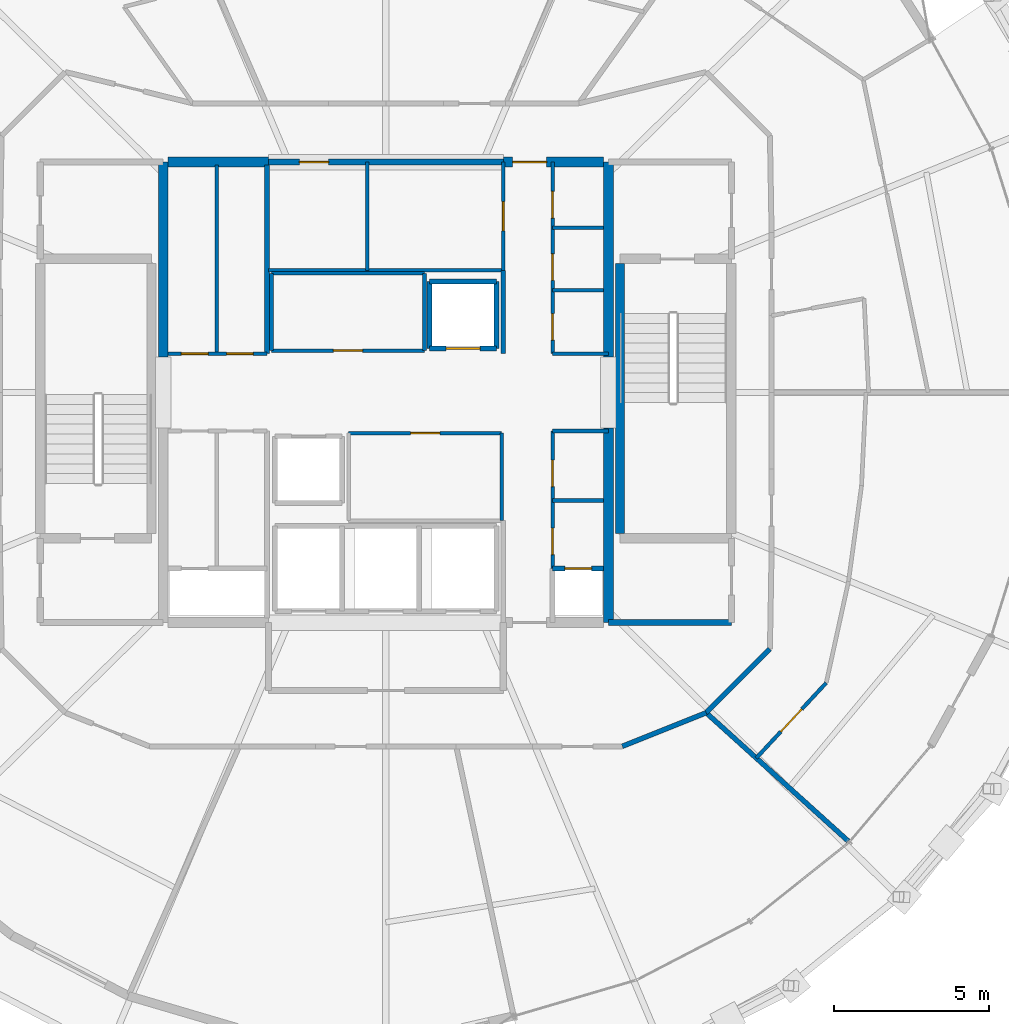
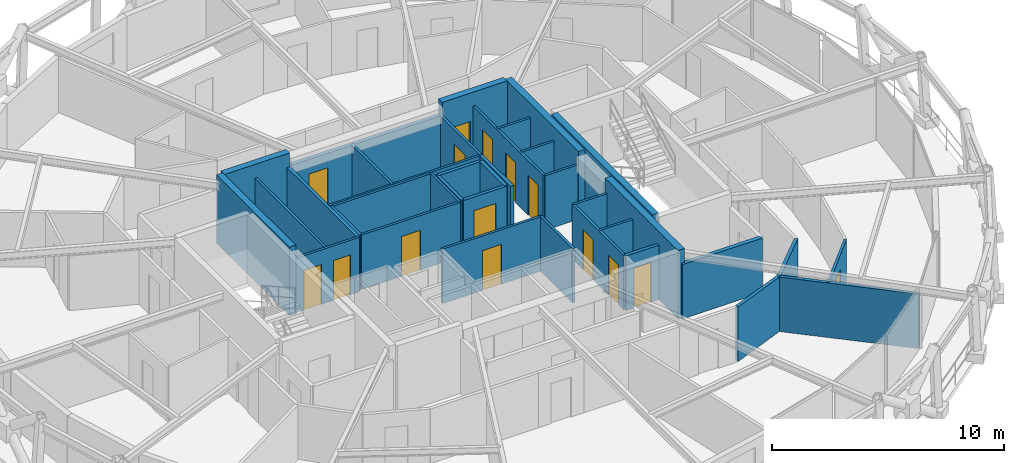
# One storey, part 13 of 16: 37 walls, 15 doors, 15 openings.
"""IFC4 building model written with IfcOpenShell, lengths in metres."""

from ifc_helpers import new_model, si_unit, direction, frame, frame_2d, origin, place, context, subcontext, project, spatial, rectangle, extrude, material, layer, layer_set, type_object, element, fill, save


model = new_model("IFC4")

# Units and contexts
model_context = context("Model", 3, precision=1e-05, world=origin(), true_north=direction((0.0, 1.0)))
body_context = subcontext(model_context, "Body", "Model", "MODEL_VIEW")
ifc_project = project(units=[si_unit("LENGTHUNIT", "METRE"), si_unit("AREAUNIT", "SQUARE_METRE"), si_unit("VOLUMEUNIT", "CUBIC_METRE"), si_unit("PLANEANGLEUNIT", "RADIAN"), si_unit("MASSUNIT", "GRAM", prefix="KILO")], contexts=[model_context])

# Site, building, storey
site_placement = place(None, origin())
site = spatial("IfcSite", under=ifc_project, at=site_placement, CompositionType="ELEMENT")
building_placement = place(site_placement, origin())
building = spatial("IfcBuilding", under=site, at=building_placement, Name="Veldorina Hangang Commons", CompositionType="ELEMENT")
storey_placement = place(building_placement, frame((0.0, 0.0, 240.0)))
storey = spatial("IfcBuildingStorey", under=building, at=storey_placement, Name="L62", CompositionType="ELEMENT", Elevation=240.0)

# Walls
ifc_material_1 = material(Name="Concrete C50/60", Category="concrete")
ifc_layer_1 = layer(ifc_material_1, 0.320068359375)
ifc_layer_set_1 = layer_set([ifc_layer_1], Name="Concrete C50/60")
wall_type_1 = type_object("IfcWallType", Name="CW-RC320-C50", PredefinedType="SHEAR", material=ifc_layer_set_1)
for number, where, z_axis, x_axis, name in (
    (1, (24.800048828125, 25.14990234375, 0.0), (0.0, 0.0, 1.0), (0.0, 1.0, 0.0), "L62 W north core shear wall"),
    (2, (39.199951171875, 16.550048828125, 0.0), (0.0, 0.0, 1.0), (0.0, 1.0, 0.0), "L62 E south core shear wall"),
    (3, (39.199951171875, 25.14990234375, 0.0), (0.0, 0.0, 1.0), (0.0, 1.0, 0.0), "L62 E north core shear wall"),
):
    element("IfcWall", number, at=place(storey_placement, frame(where, z_axis=z_axis, x_axis=x_axis)), inside=storey, type_object=wall_type_1, Name=name, PredefinedType="SHEAR", context=body_context, shape_type="SweptSolid", body=[
        extrude(rectangle(XDim=6.300048828125, YDim=0.320068359375, at=frame_2d((3.14990234375, 0.0))), origin(), (0.0, 0.0, 1.0), 3.60009765625),
    ])
wall_1_placement = place(storey_placement, frame((24.9599609375, 31.449951171875, 0.0), z_axis=(0.0, 0.0, 1.0), x_axis=(1.0, 0.0, 0.0)))
element("IfcWall", 4, at=wall_1_placement, inside=storey, type_object=wall_type_1, Name="L62 north-west core shear wall", PredefinedType="SHEAR", context=body_context, shape_type="SweptSolid", body=[
    extrude(rectangle(XDim=3.239990234375, YDim=0.320068359375, at=frame_2d((1.6201171875, 0.0))), origin(), (0.0, 0.0, 1.0), 3.60009765625),
])

# Wall, opening, door
wall_2_placement = place(storey_placement, frame((35.800048828125, 31.449951171875, 0.0), z_axis=(0.0, 0.0, 1.0), x_axis=(1.0, 0.0, 0.0)))
wall_2 = element("IfcWall", 5, at=wall_2_placement, inside=storey, type_object=wall_type_1, Name="L62 north-east core shear wall", PredefinedType="SHEAR", context=body_context, shape_type="SweptSolid", body=[
    extrude(rectangle(XDim=3.239990234375, YDim=0.320068359375, at=frame_2d((1.6201171875, 0.0))), origin(), (0.0, 0.0, 1.0), 3.60009765625),
])
opening_1_placement = place(wall_2_placement, frame((0.300048828125, 0.0, 0.0)))
opening_1 = element("IfcOpeningElement", 6, at=opening_1_placement, cuts=wall_2, Name="Opening D-08", PredefinedType="OPENING", context=body_context, shape_type="SweptSolid", body=[
    extrude(rectangle(XDim=1.10009765625, YDim=2.10009765625, at=frame_2d((0.550048828125, 1.050048828125))), frame((0.0, 0.169921875, 0.0), z_axis=(0.0, -1.0, 0.0), x_axis=(1.0, 0.0, 0.0)), (0.0, 0.0, 1.0), 0.340087890625),
])
ifc_material_2 = material(Name="Steel Fire-Rated Smoke Seal", Category="steel")
door_type_1 = type_object("IfcDoorType", Name="DR-FIRE-1100", OperationType="SINGLE_SWING_RIGHT", PredefinedType="DOOR", material=ifc_material_2)
door_1_placement = place(opening_1_placement, origin())
door_1 = element("IfcDoor", 7, at=door_1_placement, inside=storey, type_object=door_type_1, Name="L62 central lift lobby north corridor door", OperationType="SINGLE_SWING_LEFT", OverallHeight=2.10009765625, OverallWidth=1.10009765625, PredefinedType="DOOR", context=body_context, shape_type="SweptSolid", body=[
    extrude(rectangle(XDim=1.10009765625, YDim=2.10009765625, at=frame_2d((0.550048828125, 1.050048828125))), frame((0.0, 0.02490234375, 0.0), z_axis=(0.0, -1.0, 0.0), x_axis=(1.0, 0.0, 0.0)), (0.0, 0.0, 1.0), 0.050048828125),
])
fill(opening_1, door_1)

# Walls
ifc_layer_2 = layer(ifc_material_1, 0.300048828125)
ifc_layer_set_2 = layer_set([ifc_layer_2], Name="Concrete C50/60")
wall_type_2 = type_object("IfcWallType", Name="SW-STAIR-300", PredefinedType="SHEAR", material=ifc_layer_set_2)
wall_3_placement = place(storey_placement, frame((39.580078125, 19.429931640625, 0.0), z_axis=(0.0, 0.0, 1.0), x_axis=(0.0, 1.0, 0.0)))
element("IfcWall", 8, at=wall_3_placement, inside=storey, type_object=wall_type_2, Name="L62 ST2 inner stair shear wall", PredefinedType="SHEAR", context=body_context, shape_type="SweptSolid", body=[
    extrude(rectangle(XDim=8.739990234375, YDim=0.300048828125, at=frame_2d((4.3701171875, 0.0))), origin(), (0.0, 0.0, 1.0), 3.60009765625),
])
ifc_material_3 = material(Name="Gypsum Fire-Rated Twin Stud Wall", Category="gypsum")
ifc_layer_3 = layer(ifc_material_3, 0.159912109375)
ifc_layer_set_3 = layer_set([ifc_layer_3], Name="Gypsum Fire-Rated Twin Stud Wall")
wall_type_3 = type_object("IfcWallType", Name="WL-FIRE-160", PredefinedType="SOLIDWALL", material=ifc_layer_set_3)
wall_4_placement = place(storey_placement, frame((35.800048828125, 25.25, 0.0), z_axis=(0.0, 0.0, 1.0), x_axis=(0.0, 1.0, 0.0)))
element("IfcWall", 9, at=wall_4_placement, inside=storey, type_object=wall_type_3, Name="L62 Lift passage NW lower wall 011", PredefinedType="SOLIDWALL", context=body_context, shape_type="SweptSolid", body=[
    extrude(rectangle(XDim=2.699951171875, YDim=0.159912109375, at=frame_2d((1.35009765625, 0.0))), origin(), (0.0, 0.0, 1.0), 2.8701171875),
])

# Wall, opening, door
wall_5_placement = place(storey_placement, frame((33.419921875, 25.419921875, 0.0), z_axis=(0.0, 0.0, 1.0), x_axis=(1.0, 0.0, 0.0)))
wall_5 = element("IfcWall", 10, at=wall_5_placement, inside=storey, type_object=wall_type_3, Name="L62 Mid-high front shaft wall 015", PredefinedType="SOLIDWALL", context=body_context, shape_type="SweptSolid", body=[
    extrude(rectangle(XDim=2.16015625, YDim=0.159912109375, at=frame_2d((1.080078125, 0.0))), origin(), (0.0, 0.0, 1.0), 2.8701171875),
])
opening_2_placement = place(wall_5_placement, frame((0.530029296875, 0.0, 0.0)))
opening_2 = element("IfcOpeningElement", 11, at=opening_2_placement, cuts=wall_5, Name="Opening LD-01", PredefinedType="OPENING", context=body_context, shape_type="SweptSolid", body=[
    extrude(rectangle(XDim=1.10009765625, YDim=2.14990234375, at=frame_2d((0.550048828125, 1.074951171875))), frame((0.0, 0.08984375, 0.0), z_axis=(0.0, -1.0, 0.0), x_axis=(1.0, 0.0, 0.0)), (0.0, 0.0, 1.0), 0.179931640625),
])
ifc_material_4 = material(Name="Stainless Steel Brushed Lift Door", Category="steel")
door_type_2 = type_object("IfcDoorType", Name="DR-LIFT-1100", OperationType="SLIDING_TO_LEFT", PredefinedType="DOOR", material=ifc_material_4)
door_2_placement = place(opening_2_placement, origin())
door_2 = element("IfcDoor", 12, at=door_2_placement, inside=storey, type_object=door_type_2, Name="L62 Lift PL-H1 landing door 006", OperationType="SLIDING_TO_RIGHT", OverallHeight=2.14990234375, OverallWidth=1.10009765625, PredefinedType="DOOR", context=body_context, shape_type="SweptSolid", body=[
    extrude(rectangle(XDim=1.10009765625, YDim=2.14990234375, at=frame_2d((0.550048828125, 1.074951171875))), frame((0.0, 0.02490234375, 0.0), z_axis=(0.0, -1.0, 0.0), x_axis=(1.0, 0.0, 0.0)), (0.0, 0.0, 1.0), 0.050048828125),
])
fill(opening_2, door_2)

# Walls
for number, where, z_axis, x_axis, name in (
    (13, (33.419921875, 27.580078125, 0.0), (0.0, 0.0, 1.0), (1.0, 0.0, 0.0), "L62 Mid-high rear shaft wall 016"),
    (14, (33.419921875, 25.419921875, 0.0), (0.0, 0.0, 1.0), (0.0, 1.0, 0.0), "L62 PL-H1 west shaft wall 017"),
    (15, (35.580078125, 25.419921875, 0.0), (0.0, 0.0, 1.0), (0.0, 1.0, 0.0), "L62 PL-H1 east shaft wall 018"),
):
    element("IfcWall", number, at=place(storey_placement, frame(where, z_axis=z_axis, x_axis=x_axis)), inside=storey, type_object=wall_type_3, Name=name, PredefinedType="SOLIDWALL", context=body_context, shape_type="SweptSolid", body=[
        extrude(rectangle(XDim=2.16015625, YDim=0.159912109375, at=frame_2d((1.080078125, 0.0))), origin(), (0.0, 0.0, 1.0), 2.8701171875),
    ])

# Wall, opening, door
wall_6_placement = place(storey_placement, frame((37.39990234375, 18.300048828125, 0.0), z_axis=(0.0, 0.0, 1.0), x_axis=(1.0, 0.0, 0.0)))
wall_6 = element("IfcWall", 16, at=wall_6_placement, inside=storey, type_object=wall_type_3, Name="L62 Plumbing riser wall 043", PredefinedType="SOLIDWALL", context=body_context, shape_type="SweptSolid", body=[
    extrude(rectangle(XDim=1.650146484375, YDim=0.159912109375, at=frame_2d((0.8251953125, 0.0))), origin(), (0.0, 0.0, 1.0), 2.8701171875),
])
opening_3_placement = place(wall_6_placement, frame((0.39501953125, 0.0, 0.0)))
opening_3 = element("IfcOpeningElement", 17, at=opening_3_placement, cuts=wall_6, Name="Opening D-01N", PredefinedType="OPENING", context=body_context, shape_type="SweptSolid", body=[
    extrude(rectangle(XDim=0.860107421875, YDim=2.10009765625, at=frame_2d((0.43017578125, 1.050048828125))), frame((0.0, 0.08984375, 0.0), z_axis=(0.0, -1.0, 0.0), x_axis=(1.0, 0.0, 0.0)), (0.0, 0.0, 1.0), 0.179931640625),
])
ifc_material_5 = material(Name="Timber Fire-Rated Core", Category="wood")
door_type_3 = type_object("IfcDoorType", Name="DR-INT-860", OperationType="SINGLE_SWING_LEFT", PredefinedType="DOOR", material=ifc_material_5)
door_3_placement = place(opening_3_placement, origin())
door_3 = element("IfcDoor", 18, at=door_3_placement, inside=storey, type_object=door_type_3, Name="L62 Plumbing riser access door 016", OperationType="SINGLE_SWING_RIGHT", OverallHeight=2.10009765625, OverallWidth=0.860107421875, PredefinedType="TRAPDOOR", context=body_context, shape_type="SweptSolid", body=[
    extrude(rectangle(XDim=0.860107421875, YDim=2.10009765625, at=frame_2d((0.43017578125, 1.050048828125))), frame((0.0, 0.02490234375, 0.0), z_axis=(0.0, -1.0, 0.0), x_axis=(1.0, 0.0, 0.0)), (0.0, 0.0, 1.0), 0.050048828125),
])
fill(opening_3, door_3)

# Walls
wall_7_placement = place(storey_placement, frame((28.14990234375, 25.25, 0.0), z_axis=(0.0, 0.0, 1.0), x_axis=(0.0, 1.0, 0.0)))
element("IfcWall", 19, at=wall_7_placement, inside=storey, type_object=wall_type_3, Name="L62 NW core inner wall 044", PredefinedType="SOLIDWALL", context=body_context, shape_type="SweptSolid", body=[
    extrude(rectangle(XDim=6.10009765625, YDim=0.159912109375, at=frame_2d((3.050048828125, 0.0))), origin(), (0.0, 0.0, 1.0), 2.8701171875),
])
wall_8_placement = place(storey_placement, frame((39.650634765625, 12.550048828125, 0.0), z_axis=(0.0, 0.0, 1.0), x_axis=(0.92856882165, 0.371160266542, 0.0)))
element("IfcWall", 20, at=wall_8_placement, inside=storey, type_object=wall_type_3, Name="L62 Compact collar outer wall 27 083", PredefinedType="SOLIDWALL", context=body_context, shape_type="SweptSolid", body=[
    extrude(rectangle(XDim=2.923095703125, YDim=0.159912109375, at=frame_2d((1.46142578125, 0.0))), origin(), (0.0, 0.0, 1.0), 2.8701171875),
])
wall_9_placement = place(storey_placement, frame((42.364990234375, 13.635009765625, 0.0), z_axis=(0.0, 0.0, 1.0), x_axis=(0.707106781187, 0.707106781187, 0.0)))
element("IfcWall", 21, at=wall_9_placement, inside=storey, type_object=wall_type_3, Name="L62 Compact collar outer wall 28 084", PredefinedType="SOLIDWALL", context=body_context, shape_type="SweptSolid", body=[
    extrude(rectangle(XDim=2.915771484375, YDim=0.159912109375, at=frame_2d((1.4580078125, 0.0))), origin(), (0.0, 0.0, 1.0), 2.8701171875),
])
wall_10_placement = place(storey_placement, frame((42.364990234375, 13.635009765625, 0.0), z_axis=(0.0, 0.0, 1.0), x_axis=(0.741996301963, -0.670403973641, 0.0)))
element("IfcWall", 22, at=wall_10_placement, inside=storey, type_object=wall_type_3, Name="L62 Unit party wall 28 088", PredefinedType="SOLIDWALL", context=body_context, shape_type="SweptSolid", body=[
    extrude(rectangle(XDim=6.189453125, YDim=0.159912109375, at=frame_2d((3.0947265625, 0.0))), origin(), (0.0, 0.0, 1.0), 2.8701171875),
])
ifc_material_6 = material(Name="Concrete Blockwork Fire Wall C30/37", Category="masonry")
ifc_layer_4 = layer(ifc_material_6, 0.199951171875)
ifc_layer_set_4 = layer_set([ifc_layer_4], Name="Concrete Blockwork Fire Wall C30/37")
wall_type_4 = type_object("IfcWallType", Name="WL-FIRE-200", PredefinedType="SOLIDWALL", material=ifc_layer_set_4)
wall_11_placement = place(storey_placement, frame((39.199951171875, 16.550048828125, 0.0), z_axis=(0.0, 0.0, 1.0), x_axis=(1.0, 0.0, 0.0)))
element("IfcWall", 23, at=wall_11_placement, inside=storey, type_object=wall_type_4, Name="L62 SE core room south wall 008", PredefinedType="SOLIDWALL", context=body_context, shape_type="SweptSolid", body=[
    extrude(rectangle(XDim=3.97998046875, YDim=0.199951171875, at=frame_2d((1.989990234375, 0.0))), origin(), (0.0, 0.0, 1.0), 2.8701171875),
])

# Wall, opening, door
wall_12_placement = place(storey_placement, frame((28.199951171875, 31.449951171875, 0.0), z_axis=(0.0, 0.0, 1.0), x_axis=(1.0, 0.0, 0.0)))
wall_12 = element("IfcWall", 24, at=wall_12_placement, inside=storey, type_object=wall_type_4, Name="L62 Merged north core wall 029", PredefinedType="SOLIDWALL", context=body_context, shape_type="SweptSolid", body=[
    extrude(rectangle(XDim=7.60009765625, YDim=0.199951171875, at=frame_2d((3.800048828125, 0.0))), origin(), (0.0, 0.0, 1.0), 2.8701171875),
])
opening_4_placement = place(wall_12_placement, frame((1.0, 0.0, 0.0)))
opening_4 = element("IfcOpeningElement", 25, at=opening_4_placement, cuts=wall_12, Name="Opening D-02", PredefinedType="OPENING", context=body_context, shape_type="SweptSolid", body=[
    extrude(rectangle(XDim=0.949951171875, YDim=2.10009765625, at=frame_2d((0.47509765625, 1.050048828125))), frame((0.0, 0.10986328125, 0.0), z_axis=(0.0, -1.0, 0.0), x_axis=(1.0, 0.0, 0.0)), (0.0, 0.0, 1.0), 0.219970703125),
])
ifc_material_7 = material(Name="Timber Solid Core Acoustic", Category="wood")
door_type_4 = type_object("IfcDoorType", Name="DR-INT-950", OperationType="SINGLE_SWING_LEFT", PredefinedType="DOOR", material=ifc_material_7)
door_4_placement = place(opening_4_placement, origin())
door_4 = element("IfcDoor", 26, at=door_4_placement, inside=storey, type_object=door_type_4, Name="L62 Core study alcove door 011", OperationType="SINGLE_SWING_LEFT", OverallHeight=2.10009765625, OverallWidth=0.949951171875, PredefinedType="DOOR", context=body_context, shape_type="SweptSolid", body=[
    extrude(rectangle(XDim=0.949951171875, YDim=2.10009765625, at=frame_2d((0.47509765625, 1.050048828125))), frame((0.0, 0.02490234375, 0.0), z_axis=(0.0, -1.0, 0.0), x_axis=(1.0, 0.0, 0.0)), (0.0, 0.0, 1.0), 0.050048828125),
])
fill(opening_4, door_4)

# Wall
ifc_material_8 = material(Name="Gypsum Acoustic Stud Partition", Category="gypsum")
ifc_layer_5 = layer(ifc_material_8, 0.1201171875)
ifc_layer_set_5 = layer_set([ifc_layer_5], Name="Gypsum Acoustic Stud Partition")
wall_type_5 = type_object("IfcWallType", Name="WL-PART-120", PredefinedType="PARTITIONING", material=ifc_layer_set_5)
wall_13_placement = place(storey_placement, frame((28.199951171875, 27.949951171875, 0.0), z_axis=(0.0, 0.0, 1.0), x_axis=(1.0, 0.0, 0.0)))
element("IfcWall", 27, at=wall_13_placement, inside=storey, type_object=wall_type_5, Name="L62 Merged north south wall 030", PredefinedType="PARTITIONING", context=body_context, shape_type="SweptSolid", body=[
    extrude(rectangle(XDim=7.60009765625, YDim=0.1201171875, at=frame_2d((3.800048828125, 0.0))), origin(), (0.0, 0.0, 1.0), 2.8701171875),
])

# Wall, opening, door
wall_14_placement = place(storey_placement, frame((35.800048828125, 27.949951171875, 0.0), z_axis=(0.0, 0.0, 1.0), x_axis=(0.0, 1.0, 0.0)))
wall_14 = element("IfcWall", 28, at=wall_14_placement, inside=storey, type_object=wall_type_5, Name="L62 Merged north east wall 031", PredefinedType="PARTITIONING", context=body_context, shape_type="SweptSolid", body=[
    extrude(rectangle(XDim=3.5, YDim=0.1201171875, at=frame_2d((1.75, 0.0))), origin(), (0.0, 0.0, 1.0), 2.8701171875),
])
opening_5_placement = place(wall_14_placement, frame((1.27490234375, 0.0, 0.0)))
opening_5 = element("IfcOpeningElement", 29, at=opening_5_placement, cuts=wall_14, Name="Opening D-02", PredefinedType="OPENING", context=body_context, shape_type="SweptSolid", body=[
    extrude(rectangle(XDim=0.949951171875, YDim=2.10009765625, at=frame_2d((0.47509765625, 1.050048828125))), frame((0.0, 0.070068359375, 0.0), z_axis=(0.0, -1.0, 0.0), x_axis=(1.0, 0.0, 0.0)), (0.0, 0.0, 1.0), 0.14013671875),
])
door_5_placement = place(opening_5_placement, origin())
door_5 = element("IfcDoor", 30, at=door_5_placement, inside=storey, type_object=door_type_4, Name="L62 Core linen store door 012", OperationType="SINGLE_SWING_RIGHT", OverallHeight=2.10009765625, OverallWidth=0.949951171875, PredefinedType="DOOR", context=body_context, shape_type="SweptSolid", body=[
    extrude(rectangle(XDim=0.949951171875, YDim=2.10009765625, at=frame_2d((0.47509765625, 1.050048828125))), frame((0.0, 0.02490234375, 0.0), z_axis=(0.0, -1.0, 0.0), x_axis=(1.0, 0.0, 0.0)), (0.0, 0.0, 1.0), 0.050048828125),
])
fill(opening_5, door_5)

# Wall
wall_15_placement = place(storey_placement, frame((31.39990234375, 27.949951171875, 0.0), z_axis=(0.0, 0.0, 1.0), x_axis=(0.0, 1.0, 0.0)))
element("IfcWall", 31, at=wall_15_placement, inside=storey, type_object=wall_type_5, Name="L62 Merged north split wall 032", PredefinedType="PARTITIONING", context=body_context, shape_type="SweptSolid", body=[
    extrude(rectangle(XDim=3.5, YDim=0.1201171875, at=frame_2d((1.75, 0.0))), origin(), (0.0, 0.0, 1.0), 2.8701171875),
])

# Wall, opening, door
wall_16_placement = place(storey_placement, frame((28.300048828125, 25.35009765625, 0.0), z_axis=(0.0, 0.0, 1.0), x_axis=(1.0, 0.0, 0.0)))
wall_16 = element("IfcWall", 32, at=wall_16_placement, inside=storey, type_object=wall_type_5, Name="L62 Merged mid-bank south wall 033", PredefinedType="PARTITIONING", context=body_context, shape_type="SweptSolid", body=[
    extrude(rectangle(XDim=4.949951171875, YDim=0.1201171875, at=frame_2d((2.47509765625, 0.0))), origin(), (0.0, 0.0, 1.0), 2.8701171875),
])
opening_6_placement = place(wall_16_placement, frame((2.0, 0.0, 0.0)))
opening_6 = element("IfcOpeningElement", 33, at=opening_6_placement, cuts=wall_16, Name="Opening D-02", PredefinedType="OPENING", context=body_context, shape_type="SweptSolid", body=[
    extrude(rectangle(XDim=0.949951171875, YDim=2.10009765625, at=frame_2d((0.47509765625, 1.050048828125))), frame((0.0, 0.070068359375, 0.0), z_axis=(0.0, -1.0, 0.0), x_axis=(1.0, 0.0, 0.0)), (0.0, 0.0, 1.0), 0.14013671875),
])
door_6_placement = place(opening_6_placement, origin())
door_6 = element("IfcDoor", 34, at=door_6_placement, inside=storey, type_object=door_type_4, Name="L62 Quiet study room door 013", OperationType="SINGLE_SWING_LEFT", OverallHeight=2.10009765625, OverallWidth=0.949951171875, PredefinedType="DOOR", context=body_context, shape_type="SweptSolid", body=[
    extrude(rectangle(XDim=0.949951171875, YDim=2.10009765625, at=frame_2d((0.47509765625, 1.050048828125))), frame((0.0, 0.02490234375, 0.0), z_axis=(0.0, -1.0, 0.0), x_axis=(1.0, 0.0, 0.0)), (0.0, 0.0, 1.0), 0.050048828125),
])
fill(opening_6, door_6)

# Walls
wall_17_placement = place(storey_placement, frame((28.300048828125, 27.85009765625, 0.0), z_axis=(0.0, 0.0, 1.0), x_axis=(1.0, 0.0, 0.0)))
element("IfcWall", 35, at=wall_17_placement, inside=storey, type_object=wall_type_5, Name="L62 Merged mid-bank north wall 034", PredefinedType="PARTITIONING", context=body_context, shape_type="SweptSolid", body=[
    extrude(rectangle(XDim=4.949951171875, YDim=0.1201171875, at=frame_2d((2.47509765625, 0.0))), origin(), (0.0, 0.0, 1.0), 2.8701171875),
])
for number, where, z_axis, x_axis, name in (
    (36, (28.300048828125, 25.35009765625, 0.0), (0.0, 0.0, 1.0), (0.0, 1.0, 0.0), "L62 Merged mid-bank west wall 035"),
    (37, (33.25, 25.35009765625, 0.0), (0.0, 0.0, 1.0), (0.0, 1.0, 0.0), "L62 Merged mid-bank east wall 036"),
):
    element("IfcWall", number, at=place(storey_placement, frame(where, z_axis=z_axis, x_axis=x_axis)), inside=storey, type_object=wall_type_5, Name=name, PredefinedType="PARTITIONING", context=body_context, shape_type="SweptSolid", body=[
        extrude(rectangle(XDim=2.5, YDim=0.1201171875, at=frame_2d((1.25, 0.0))), origin(), (0.0, 0.0, 1.0), 2.8701171875),
    ])

# Wall, opening, door
wall_18_placement = place(storey_placement, frame((30.800048828125, 22.679931640625, 0.0), z_axis=(0.0, 0.0, 1.0), x_axis=(1.0, 0.0, 0.0)))
wall_18 = element("IfcWall", 38, at=wall_18_placement, inside=storey, type_object=wall_type_5, Name="L62 Merged shuttle north wall 037", PredefinedType="PARTITIONING", context=body_context, shape_type="SweptSolid", body=[
    extrude(rectangle(XDim=4.949951171875, YDim=0.1201171875, at=frame_2d((2.47509765625, 0.0))), origin(), (0.0, 0.0, 1.0), 2.8701171875),
])
opening_7_placement = place(wall_18_placement, frame((2.0, 0.0, 0.0)))
opening_7 = element("IfcOpeningElement", 39, at=opening_7_placement, cuts=wall_18, Name="Opening D-02", PredefinedType="OPENING", context=body_context, shape_type="SweptSolid", body=[
    extrude(rectangle(XDim=0.949951171875, YDim=2.10009765625, at=frame_2d((0.47509765625, 1.050048828125))), frame((0.0, 0.070068359375, 0.0), z_axis=(0.0, -1.0, 0.0), x_axis=(1.0, 0.0, 0.0)), (0.0, 0.0, 1.0), 0.14013671875),
])
door_7_placement = place(opening_7_placement, origin())
door_7 = element("IfcDoor", 40, at=door_7_placement, inside=storey, type_object=door_type_4, Name="L62 Floor tea pantry door 014", OperationType="SINGLE_SWING_RIGHT", OverallHeight=2.10009765625, OverallWidth=0.949951171875, PredefinedType="DOOR", context=body_context, shape_type="SweptSolid", body=[
    extrude(rectangle(XDim=0.949951171875, YDim=2.10009765625, at=frame_2d((0.47509765625, 1.050048828125))), frame((0.0, 0.02490234375, 0.0), z_axis=(0.0, -1.0, 0.0), x_axis=(1.0, 0.0, 0.0)), (0.0, 0.0, 1.0), 0.050048828125),
])
fill(opening_7, door_7)

# Wall
wall_19_placement = place(storey_placement, frame((35.75, 19.85009765625, 0.0), z_axis=(0.0, 0.0, 1.0), x_axis=(0.0, 1.0, 0.0)))
element("IfcWall", 41, at=wall_19_placement, inside=storey, type_object=wall_type_5, Name="L62 Merged shuttle east wall 040", PredefinedType="PARTITIONING", context=body_context, shape_type="SweptSolid", body=[
    extrude(rectangle(XDim=2.829833984375, YDim=0.1201171875, at=frame_2d((1.4150390625, 0.0))), origin(), (0.0, 0.0, 1.0), 2.8701171875),
])

# Wall, openings, doors
wall_20_placement = place(storey_placement, frame((24.949951171875, 25.25, 0.0), z_axis=(0.0, 0.0, 1.0), x_axis=(1.0, 0.0, 0.0)))
wall_20 = element("IfcWall", 42, at=wall_20_placement, inside=storey, type_object=wall_type_5, Name="L62 NW service south wall 045", PredefinedType="PARTITIONING", context=body_context, shape_type="SweptSolid", body=[
    extrude(rectangle(XDim=3.199951171875, YDim=0.1201171875, at=frame_2d((1.60009765625, 0.0))), origin(), (0.0, 0.0, 1.0), 2.8701171875),
])
opening_8_placement = place(wall_20_placement, frame((0.43994140625, 0.0, 0.0)))
opening_8 = element("IfcOpeningElement", 43, at=opening_8_placement, cuts=wall_20, Name="Opening D-01", PredefinedType="OPENING", context=body_context, shape_type="SweptSolid", body=[
    extrude(rectangle(XDim=0.860107421875, YDim=2.10009765625, at=frame_2d((0.43017578125, 1.050048828125))), frame((0.0, 0.070068359375, 0.0), z_axis=(0.0, -1.0, 0.0), x_axis=(1.0, 0.0, 0.0)), (0.0, 0.0, 1.0), 0.14013671875),
])
opening_9_placement = place(wall_20_placement, frame((1.89990234375, 0.0, 0.0)))
opening_9 = element("IfcOpeningElement", 44, at=opening_9_placement, cuts=wall_20, Name="Opening D-01", PredefinedType="OPENING", context=body_context, shape_type="SweptSolid", body=[
    extrude(rectangle(XDim=0.860107421875, YDim=2.10009765625, at=frame_2d((0.43017578125, 1.050048828125))), frame((0.0, 0.070068359375, 0.0), z_axis=(0.0, -1.0, 0.0), x_axis=(1.0, 0.0, 0.0)), (0.0, 0.0, 1.0), 0.14013671875),
])
ifc_material_9 = material(Name="Timber Moisture-Resistant Core", Category="wood")
door_type_5 = type_object("IfcDoorType", Name="DR-WET-860", OperationType="SINGLE_SWING_LEFT", PredefinedType="DOOR", material=ifc_material_9)
door_8_placement = place(opening_8_placement, origin())
door_8 = element("IfcDoor", 45, at=door_8_placement, inside=storey, type_object=door_type_5, Name="L62 Linen west door 017", OperationType="SINGLE_SWING_LEFT", OverallHeight=2.10009765625, OverallWidth=0.860107421875, PredefinedType="DOOR", context=body_context, shape_type="SweptSolid", body=[
    extrude(rectangle(XDim=0.860107421875, YDim=2.10009765625, at=frame_2d((0.43017578125, 1.050048828125))), frame((0.0, 0.02490234375, 0.0), z_axis=(0.0, -1.0, 0.0), x_axis=(1.0, 0.0, 0.0)), (0.0, 0.0, 1.0), 0.050048828125),
])
fill(opening_8, door_8)
door_9_placement = place(opening_9_placement, origin())
door_9 = element("IfcDoor", 46, at=door_9_placement, inside=storey, type_object=door_type_5, Name="L62 Data closet door 018", OperationType="SINGLE_SWING_RIGHT", OverallHeight=2.10009765625, OverallWidth=0.860107421875, PredefinedType="DOOR", context=body_context, shape_type="SweptSolid", body=[
    extrude(rectangle(XDim=0.860107421875, YDim=2.10009765625, at=frame_2d((0.43017578125, 1.050048828125))), frame((0.0, 0.02490234375, 0.0), z_axis=(0.0, -1.0, 0.0), x_axis=(1.0, 0.0, 0.0)), (0.0, 0.0, 1.0), 0.050048828125),
])
fill(opening_9, door_9)

wall_21_placement = place(storey_placement, frame((37.39990234375, 25.25, 0.0), z_axis=(0.0, 0.0, 1.0), x_axis=(0.0, 1.0, 0.0)))
wall_21 = element("IfcWall", 47, at=wall_21_placement, inside=storey, type_object=wall_type_5, Name="L62 NE strip lobby wall 047", PredefinedType="PARTITIONING", context=body_context, shape_type="SweptSolid", body=[
    extrude(rectangle(XDim=6.199951171875, YDim=0.1201171875, at=frame_2d((3.10009765625, 0.0))), origin(), (0.0, 0.0, 1.0), 2.8701171875),
])
opening_10_placement = place(wall_21_placement, frame((0.43994140625, 0.0, 0.0)))
opening_10 = element("IfcOpeningElement", 48, at=opening_10_placement, cuts=wall_21, Name="Opening D-01", PredefinedType="OPENING", context=body_context, shape_type="SweptSolid", body=[
    extrude(rectangle(XDim=0.860107421875, YDim=2.10009765625, at=frame_2d((0.43017578125, 1.050048828125))), frame((0.0, 0.070068359375, 0.0), z_axis=(0.0, -1.0, 0.0), x_axis=(1.0, 0.0, 0.0)), (0.0, 0.0, 1.0), 0.14013671875),
])
opening_11_placement = place(wall_21_placement, frame((2.3701171875, 0.0, 0.0)))
opening_11 = element("IfcOpeningElement", 49, at=opening_11_placement, cuts=wall_21, Name="Opening D-01", PredefinedType="OPENING", context=body_context, shape_type="SweptSolid", body=[
    extrude(rectangle(XDim=0.860107421875, YDim=2.10009765625, at=frame_2d((0.43017578125, 1.050048828125))), frame((0.0, 0.070068359375, 0.0), z_axis=(0.0, -1.0, 0.0), x_axis=(1.0, 0.0, 0.0)), (0.0, 0.0, 1.0), 0.14013671875),
])
opening_12_placement = place(wall_21_placement, frame((4.389892578125, 0.0, 0.0)))
opening_12 = element("IfcOpeningElement", 50, at=opening_12_placement, cuts=wall_21, Name="Opening D-01", PredefinedType="OPENING", context=body_context, shape_type="SweptSolid", body=[
    extrude(rectangle(XDim=0.860107421875, YDim=2.10009765625, at=frame_2d((0.43017578125, 1.050048828125))), frame((0.0, 0.070068359375, 0.0), z_axis=(0.0, -1.0, 0.0), x_axis=(1.0, 0.0, 0.0)), (0.0, 0.0, 1.0), 0.14013671875),
])
door_10_placement = place(opening_10_placement, origin())
door_10 = element("IfcDoor", 51, at=door_10_placement, inside=storey, type_object=door_type_5, Name="L62 Fiber Riser Closet door 021", OperationType="SINGLE_SWING_LEFT", OverallHeight=2.10009765625, OverallWidth=0.860107421875, PredefinedType="DOOR", context=body_context, shape_type="SweptSolid", body=[
    extrude(rectangle(XDim=0.860107421875, YDim=2.10009765625, at=frame_2d((0.43017578125, 1.050048828125))), frame((0.0, 0.02490234375, 0.0), z_axis=(0.0, -1.0, 0.0), x_axis=(1.0, 0.0, 0.0)), (0.0, 0.0, 1.0), 0.050048828125),
])
fill(opening_10, door_10)
door_11_placement = place(opening_11_placement, origin())
door_11 = element("IfcDoor", 52, at=door_11_placement, inside=storey, type_object=door_type_5, Name="L62 AV Rack Closet door 022", OperationType="SINGLE_SWING_RIGHT", OverallHeight=2.10009765625, OverallWidth=0.860107421875, PredefinedType="DOOR", context=body_context, shape_type="SweptSolid", body=[
    extrude(rectangle(XDim=0.860107421875, YDim=2.10009765625, at=frame_2d((0.43017578125, 1.050048828125))), frame((0.0, 0.02490234375, 0.0), z_axis=(0.0, -1.0, 0.0), x_axis=(1.0, 0.0, 0.0)), (0.0, 0.0, 1.0), 0.050048828125),
])
fill(opening_11, door_11)
door_12_placement = place(opening_12_placement, origin())
door_12 = element("IfcDoor", 53, at=door_12_placement, inside=storey, type_object=door_type_5, Name="L62 Supply Closet door 023", OperationType="SINGLE_SWING_LEFT", OverallHeight=2.10009765625, OverallWidth=0.860107421875, PredefinedType="DOOR", context=body_context, shape_type="SweptSolid", body=[
    extrude(rectangle(XDim=0.860107421875, YDim=2.10009765625, at=frame_2d((0.43017578125, 1.050048828125))), frame((0.0, 0.02490234375, 0.0), z_axis=(0.0, -1.0, 0.0), x_axis=(1.0, 0.0, 0.0)), (0.0, 0.0, 1.0), 0.050048828125),
])
fill(opening_12, door_12)

# Wall
wall_22_placement = place(storey_placement, frame((37.39990234375, 25.25, 0.0), z_axis=(0.0, 0.0, 1.0), x_axis=(1.0, 0.0, 0.0)))
element("IfcWall", 54, at=wall_22_placement, inside=storey, type_object=wall_type_5, Name="L62 NE strip south return wall 048", PredefinedType="PARTITIONING", context=body_context, shape_type="SweptSolid", body=[
    extrude(rectangle(XDim=1.800048828125, YDim=0.1201171875, at=frame_2d((0.89990234375, 0.0))), origin(), (0.0, 0.0, 1.0), 2.8701171875),
])

# Wall, openings, doors
wall_23_placement = place(storey_placement, frame((37.39990234375, 18.300048828125, 0.0), z_axis=(0.0, 0.0, 1.0), x_axis=(0.0, 1.0, 0.0)))
wall_23 = element("IfcWall", 55, at=wall_23_placement, inside=storey, type_object=wall_type_5, Name="L62 SE strip lobby wall 049", PredefinedType="PARTITIONING", context=body_context, shape_type="SweptSolid", body=[
    extrude(rectangle(XDim=4.449951171875, YDim=0.1201171875, at=frame_2d((2.22509765625, 0.0))), origin(), (0.0, 0.0, 1.0), 2.8701171875),
])
opening_13_placement = place(wall_23_placement, frame((0.449951171875, 0.0, 0.0)))
opening_13 = element("IfcOpeningElement", 56, at=opening_13_placement, cuts=wall_23, Name="Opening D-01", PredefinedType="OPENING", context=body_context, shape_type="SweptSolid", body=[
    extrude(rectangle(XDim=0.860107421875, YDim=2.10009765625, at=frame_2d((0.43017578125, 1.050048828125))), frame((0.0, 0.070068359375, 0.0), z_axis=(0.0, -1.0, 0.0), x_axis=(1.0, 0.0, 0.0)), (0.0, 0.0, 1.0), 0.14013671875),
])
opening_14_placement = place(wall_23_placement, frame((2.64990234375, 0.0, 0.0)))
opening_14 = element("IfcOpeningElement", 57, at=opening_14_placement, cuts=wall_23, Name="Opening D-01", PredefinedType="OPENING", context=body_context, shape_type="SweptSolid", body=[
    extrude(rectangle(XDim=0.860107421875, YDim=2.10009765625, at=frame_2d((0.43017578125, 1.050048828125))), frame((0.0, 0.070068359375, 0.0), z_axis=(0.0, -1.0, 0.0), x_axis=(1.0, 0.0, 0.0)), (0.0, 0.0, 1.0), 0.14013671875),
])
door_13_placement = place(opening_13_placement, origin())
door_13 = element("IfcDoor", 58, at=door_13_placement, inside=storey, type_object=door_type_5, Name="L62 Janitor sink door 024", OperationType="SINGLE_SWING_RIGHT", OverallHeight=2.10009765625, OverallWidth=0.860107421875, PredefinedType="DOOR", context=body_context, shape_type="SweptSolid", body=[
    extrude(rectangle(XDim=0.860107421875, YDim=2.10009765625, at=frame_2d((0.43017578125, 1.050048828125))), frame((0.0, 0.02490234375, 0.0), z_axis=(0.0, -1.0, 0.0), x_axis=(1.0, 0.0, 0.0)), (0.0, 0.0, 1.0), 0.050048828125),
])
fill(opening_13, door_13)
door_14_placement = place(opening_14_placement, origin())
door_14 = element("IfcDoor", 59, at=door_14_placement, inside=storey, type_object=door_type_5, Name="L62 Fire panel door 025", OperationType="SINGLE_SWING_LEFT", OverallHeight=2.10009765625, OverallWidth=0.860107421875, PredefinedType="DOOR", context=body_context, shape_type="SweptSolid", body=[
    extrude(rectangle(XDim=0.860107421875, YDim=2.10009765625, at=frame_2d((0.43017578125, 1.050048828125))), frame((0.0, 0.02490234375, 0.0), z_axis=(0.0, -1.0, 0.0), x_axis=(1.0, 0.0, 0.0)), (0.0, 0.0, 1.0), 0.050048828125),
])
fill(opening_14, door_14)

# Walls
wall_24_placement = place(storey_placement, frame((37.39990234375, 22.75, 0.0), z_axis=(0.0, 0.0, 1.0), x_axis=(1.0, 0.0, 0.0)))
element("IfcWall", 60, at=wall_24_placement, inside=storey, type_object=wall_type_5, Name="L62 SE strip north return wall 050", PredefinedType="PARTITIONING", context=body_context, shape_type="SweptSolid", body=[
    extrude(rectangle(XDim=1.800048828125, YDim=0.1201171875, at=frame_2d((0.89990234375, 0.0))), origin(), (0.0, 0.0, 1.0), 2.8701171875),
])
wall_25_placement = place(storey_placement, frame((26.530029296875, 25.25, 0.0), z_axis=(0.0, 0.0, 1.0), x_axis=(0.0, 1.0, 0.0)))
element("IfcWall", 61, at=wall_25_placement, inside=storey, type_object=wall_type_5, Name="L62 NW vertical split 051", PredefinedType="PARTITIONING", context=body_context, shape_type="SweptSolid", body=[
    extrude(rectangle(XDim=6.10009765625, YDim=0.1201171875, at=frame_2d((3.050048828125, 0.0))), origin(), (0.0, 0.0, 1.0), 2.8701171875),
])
for number, where, z_axis, x_axis, name in (
    (62, (37.39990234375, 27.300048828125, 0.0), (0.0, 0.0, 1.0), (1.0, 0.0, 0.0), "L62 NE split 1 053"),
    (63, (37.39990234375, 29.330078125, 0.0), (0.0, 0.0, 1.0), (1.0, 0.0, 0.0), "L62 NE split 2 054"),
    (64, (37.39990234375, 20.5, 0.0), (0.0, 0.0, 1.0), (1.0, 0.0, 0.0), "L62 SE horizontal split 055"),
):
    element("IfcWall", number, at=place(storey_placement, frame(where, z_axis=z_axis, x_axis=x_axis)), inside=storey, type_object=wall_type_5, Name=name, PredefinedType="PARTITIONING", context=body_context, shape_type="SweptSolid", body=[
        extrude(rectangle(XDim=1.650146484375, YDim=0.1201171875, at=frame_2d((0.8251953125, 0.0))), origin(), (0.0, 0.0, 1.0), 2.8701171875),
    ])

# Wall, opening, door
wall_26_placement = place(storey_placement, frame((43.9853515625, 12.1708984375, 0.0), z_axis=(0.0, 0.0, 1.0), x_axis=(0.681293610757, 0.732010256719, 0.0)))
wall_26 = element("IfcWall", 65, at=wall_26_placement, inside=storey, type_object=wall_type_5, Name="L62 Lounge alcove split 0 089", PredefinedType="PARTITIONING", context=body_context, shape_type="SweptSolid", body=[
    extrude(rectangle(XDim=3.321533203125, YDim=0.1201171875, at=frame_2d((1.66064453125, 0.0))), origin(), (0.0, 0.0, 1.0), 2.8701171875),
])
opening_15_placement = place(wall_26_placement, frame((1.160888671875, 0.0, 0.0)))
opening_15 = element("IfcOpeningElement", 66, at=opening_15_placement, cuts=wall_26, Name="Opening D-05", PredefinedType="OPENING", context=body_context, shape_type="SweptSolid", body=[
    extrude(rectangle(XDim=1.0, YDim=2.10009765625, at=frame_2d((0.5, 1.050048828125))), frame((0.0, 0.070068359375, 0.0), z_axis=(0.0, -1.0, 0.0), x_axis=(1.0, 0.0, 0.0)), (0.0, 0.0, 1.0), 0.14013671875),
])
door_type_6 = type_object("IfcDoorType", Name="DR-INT-1000", OperationType="SINGLE_SWING_RIGHT", PredefinedType="DOOR", material=ifc_material_7)
door_15_placement = place(opening_15_placement, origin())
door_15 = element("IfcDoor", 67, at=door_15_placement, inside=storey, type_object=door_type_6, Name="L62 Commons lounge door 027", OperationType="SINGLE_SWING_LEFT", OverallHeight=2.10009765625, OverallWidth=1.0, PredefinedType="DOOR", context=body_context, shape_type="SweptSolid", body=[
    extrude(rectangle(XDim=1.0, YDim=2.10009765625, at=frame_2d((0.5, 1.050048828125))), frame((0.0, 0.02490234375, 0.0), z_axis=(0.0, -1.0, 0.0), x_axis=(1.0, 0.0, 0.0)), (0.0, 0.0, 1.0), 0.050048828125),
])
fill(opening_15, door_15)

save(model, "model.ifc")
